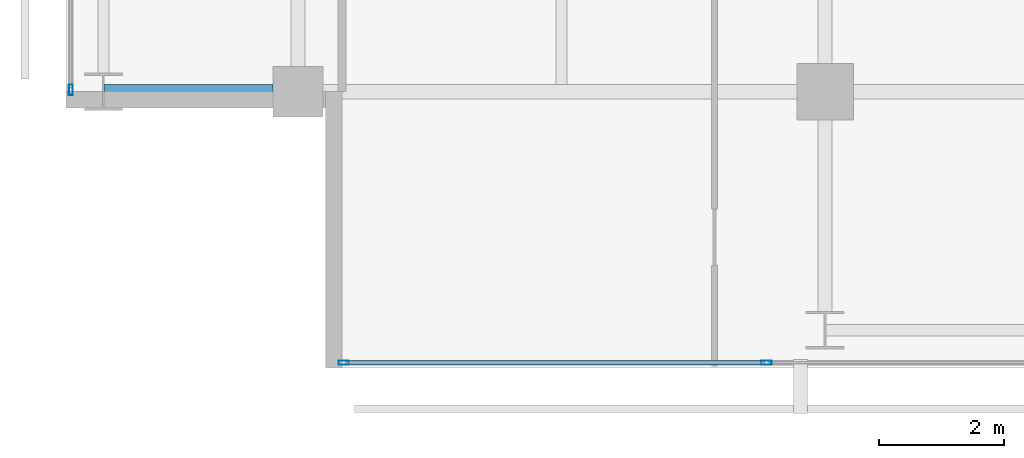
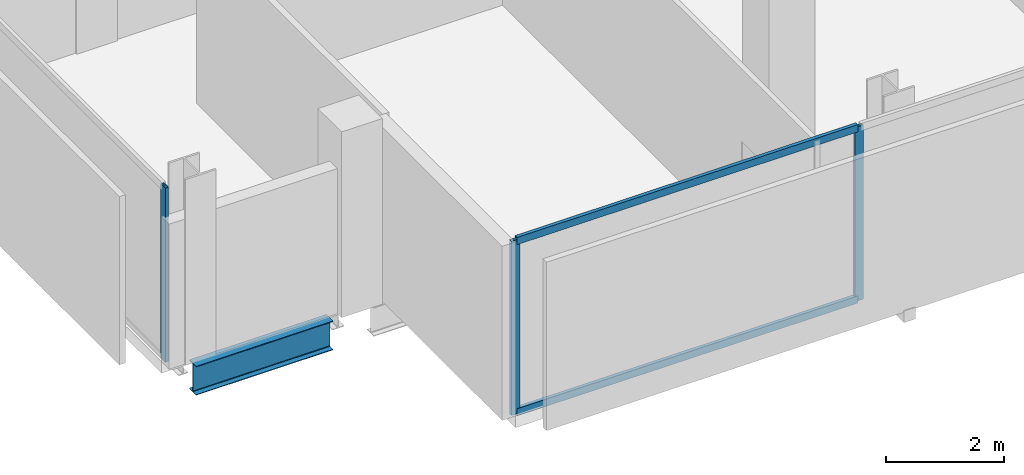
# One storey, part 2 of 32: 5 members, 1 beam, 2 elements without a shape of their own.
"""IFC4 building model written with IfcOpenShell, lengths in metres."""

from ifc_helpers import new_model, si_unit, direction, frame, origin, origin_2d, place, context, subcontext, project, spatial, hollow_rectangle, i_section, extrude, material, layer, layer_set, material_profile, profile_set, type_object, element, aggregate, save


model = new_model("IFC4")

# Units and contexts
model_context = context("Model", 3, precision=1e-05, world=origin(), true_north=direction((0.0, 1.0)))
body_context = subcontext(model_context, "Body", "Model", "MODEL_VIEW")
ifc_project = project(units=[si_unit("LENGTHUNIT", "METRE"), si_unit("AREAUNIT", "SQUARE_METRE"), si_unit("VOLUMEUNIT", "CUBIC_METRE"), si_unit("PLANEANGLEUNIT", "RADIAN"), si_unit("MASSUNIT", "GRAM", prefix="KILO")], contexts=[model_context])

# Site, building, storey
site_placement = place(None, origin())
site = spatial("IfcSite", under=ifc_project, at=site_placement, CompositionType="ELEMENT")
building_placement = place(site_placement, origin())
building = spatial("IfcBuilding", under=site, at=building_placement, Name="Maruvema Waterfront Hotel and Observation Tower", CompositionType="ELEMENT")
storey_placement = place(building_placement, frame((0.0, 0.0, 162.050048828125)))
storey = spatial("IfcBuildingStorey", under=building, at=storey_placement, Name="L39", CompositionType="ELEMENT", Elevation=162.050048828125)

# Curtain wall, members
ifc_material_1 = material(Name="Anodised bronze aluminium and solar-control low-E IGU", Category="aluminium")
ifc_layer = layer(ifc_material_1, 0.159912109375, Name="Zone 2 Amber Inner Thermal Curtain Wall System CW-03")
ifc_layer_set = layer_set([ifc_layer], Name="Anodised bronze aluminium and solar-control low-E IGU")
curtain_wall_type = type_object("IfcCurtainWallType", Name="Zone 2 Amber Inner Thermal Curtain Wall System CW-03", PredefinedType="USERDEFINED", material=ifc_layer_set)
curtain_wall_1_placement = place(storey_placement, origin())
curtain_wall_1 = element("IfcCurtainWall", 1, at=curtain_wall_1_placement, inside=storey, type_object=curtain_wall_type, Name="L39 Curtain Wall CW-L39-S", ObjectType="UNITISED CURTAIN WALL", PredefinedType="USERDEFINED")
ifc_material_2 = material(Name="Anodised architectural bronze aluminium", Category="aluminium")
ifc_material_profile_1 = material_profile(ifc_material_2, hollow_rectangle(XDim=0.070068359375, YDim=0.14990234375, WallThickness=0.00390625, at=origin_2d()), Name="ALU-T70x150")
ifc_profile_set_1 = profile_set([ifc_material_profile_1], Name="Anodised architectural bronze aluminium")
member_type_1 = type_object("IfcMemberType", Name="Curtain Wall Horizontal Transom ALU-T70x150", PredefinedType="USERDEFINED", material=ifc_profile_set_1)
member_1_placement = place(storey_placement, frame((17.56005859375, 4.679931640625, 0.030029296875), z_axis=(1.0, 0.0, 0.0), x_axis=(0.0, 1.0, 0.0)))
member_1 = element("IfcMember", 2, at=member_1_placement, type_object=member_type_1, Name="CW-03 transom 1.1", ObjectType="TRANSOM", PredefinedType="USERDEFINED", context=body_context, shape_type="SweptSolid", body=[
    extrude(hollow_rectangle(XDim=0.070068359375, YDim=0.14990234375, WallThickness=0.00390625, at=origin_2d()), origin(), (0.0, 0.0, 1.0), 6.676513671875),
])
member_2_placement = place(storey_placement, frame((17.56005859375, 4.679931640625, 3.579833984375), z_axis=(1.0, 0.0, 0.0), x_axis=(0.0, 1.0, 0.0)))
member_2 = element("IfcMember", 3, at=member_2_placement, type_object=member_type_1, Name="CW-03 transom 1.2", ObjectType="TRANSOM", PredefinedType="USERDEFINED", context=body_context, shape_type="SweptSolid", body=[
    extrude(hollow_rectangle(XDim=0.070068359375, YDim=0.14990234375, WallThickness=0.00390625, at=origin_2d()), origin(), (0.0, 0.0, 1.0), 6.676513671875),
])
ifc_material_3 = material(Name="Anodised architectural bronze aluminium", Category="aluminium")
ifc_material_profile_2 = material_profile(ifc_material_3, hollow_rectangle(XDim=0.06494140625, YDim=0.1650390625, WallThickness=0.00390625, at=origin_2d()), Name="ALU-M65x165")
ifc_profile_set_2 = profile_set([ifc_material_profile_2], Name="Anodised architectural bronze aluminium")
member_type_2 = type_object("IfcMemberType", Name="Curtain Wall Primary Mullion ALU-M65x165", PredefinedType="MULLION", material=ifc_profile_set_2)
member_3_placement = place(storey_placement, frame((17.530029296875, 4.679931640625, 0.0), z_axis=(0.0, 0.0, 1.0), x_axis=(0.0, 1.0, 0.0)))
member_3 = element("IfcMember", 4, at=member_3_placement, type_object=member_type_2, Name="CW-03 mullion 1", PredefinedType="MULLION", context=body_context, shape_type="SweptSolid", body=[
    extrude(hollow_rectangle(XDim=0.06494140625, YDim=0.1650390625, WallThickness=0.00390625, at=origin_2d()), origin(), (0.0, 0.0, 1.0), 3.60986328125),
])
member_4_placement = place(storey_placement, frame((24.2666015625, 4.679931640625, 0.0), z_axis=(0.0, 0.0, 1.0), x_axis=(0.0, 1.0, 0.0)))
member_4 = element("IfcMember", 5, at=member_4_placement, type_object=member_type_2, Name="CW-03 mullion 2", PredefinedType="MULLION", context=body_context, shape_type="SweptSolid", body=[
    extrude(hollow_rectangle(XDim=0.06494140625, YDim=0.1650390625, WallThickness=0.00390625, at=origin_2d()), origin(), (0.0, 0.0, 1.0), 3.60986328125),
])
aggregate(curtain_wall_1, [member_3, member_4, member_1, member_2])

# Curtain wall, member
curtain_wall_2_placement = place(storey_placement, origin())
curtain_wall_2 = element("IfcCurtainWall", 6, at=curtain_wall_2_placement, inside=storey, type_object=curtain_wall_type, Name="L39 Curtain Wall CW-L39-W", ObjectType="UNITISED CURTAIN WALL", PredefinedType="USERDEFINED")
member_5_placement = place(storey_placement, frame((13.179931640625, 9.030029296875, 0.0), z_axis=(0.0, 0.0, 1.0), x_axis=(1.0, 0.0, 0.0)))
member_5 = element("IfcMember", 7, at=member_5_placement, type_object=member_type_2, Name="CW-03 mullion 7", PredefinedType="MULLION", context=body_context, shape_type="SweptSolid", body=[
    extrude(hollow_rectangle(XDim=0.06494140625, YDim=0.1650390625, WallThickness=0.00390625, at=origin_2d()), origin(), (0.0, 0.0, 1.0), 3.60986328125),
])
aggregate(curtain_wall_2, [member_5])

# Beam
ifc_material_4 = material(Name="Steel ASTM A572 Grade 50", Category="steel")
ifc_material_profile_3 = material_profile(ifc_material_4, i_section(OverallWidth=0.22802734375, OverallDepth=0.60302734375, WebThickness=0.010498046875, FlangeThickness=0.014892578125, FilletRadius=0.01806640625, at=origin_2d()), Name="W610x101.0")
ifc_profile_set_3 = profile_set([ifc_material_profile_3], Name="Steel ASTM A572 Grade 50")
beam_type = type_object("IfcBeamType", Name="Primary Floor Girder W610x101.0", PredefinedType="BEAM", material=ifc_profile_set_3)
beam_placement = place(storey_placement, frame((13.71240234375, 9.0, -0.54150390625), z_axis=(1.0, 0.0, 0.0), x_axis=(0.0, 1.0, 0.0)))
element("IfcBeam", 8, at=beam_placement, inside=storey, type_object=beam_type, Name="L39 Floor Girder EW-04", PredefinedType="BEAM", context=body_context, shape_type="SweptSolid", body=[
    extrude(i_section(OverallWidth=0.22802734375, OverallDepth=0.60302734375, WebThickness=0.010498046875, FlangeThickness=0.014892578125, FilletRadius=0.01806640625, at=origin_2d()), origin(), (0.0, 0.0, 1.0), 2.6875),
])

save(model, "model.ifc")
